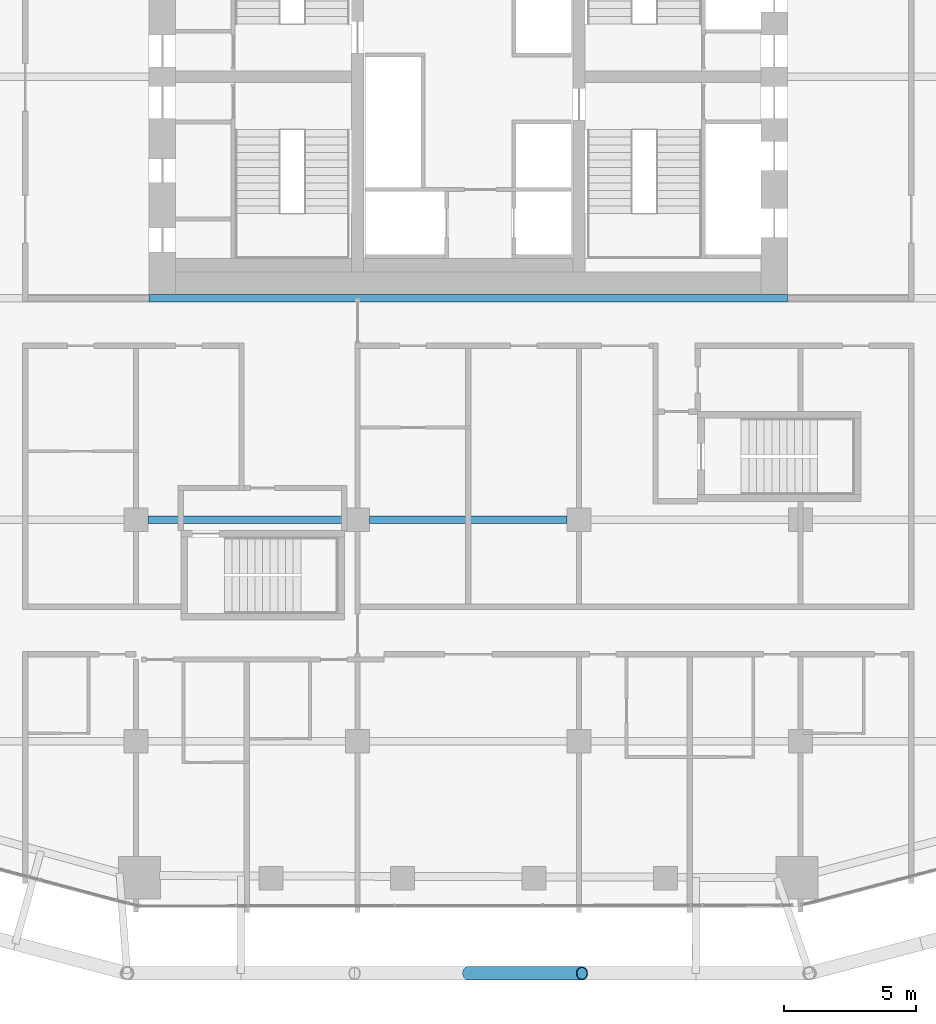
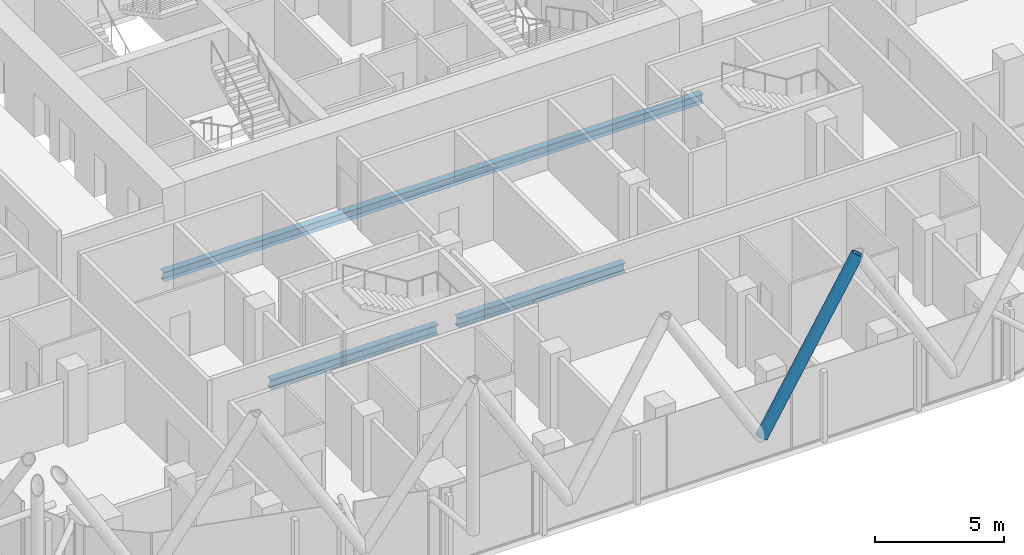
# One storey, part 5 of 36: 3 beams, 1 member.
"""IFC4 building model written with IfcOpenShell, lengths in metres."""

import ifcopenshell
import ifcopenshell.guid

model = None  # the IFC model being written
_history = None  # IfcOwnerHistory: only IFC2X3 demands one
_inside = {}  # id of a spatial element -> (the spatial element, [elements in it])
_under = {}  # id of a project, library or spatial element -> (it, [spatial elements below it])
_declared = {}  # id of a project -> (the project, [libraries it declares])
_typed = {}  # id of a type object -> (the type object, [elements of that type])
_made_of = {}  # id of a material, layer set ... -> (it, [elements and type objects made of it])


def new_model(schema):
    """Start an empty IFC model of exactly this schema.

    Asked for "IFC4X3", IfcOpenShell would pick the latest addendum, in which some entities
    have other attributes; the version numbers below select the first issue.
    IFC2X3 requires an IfcOwnerHistory on every rooted entity: one is made here for all.
    """
    global model, _history
    if schema == "IFC4X3":
        model = ifcopenshell.file(schema_version=(4, 3, 0, 0))
    else:
        model = ifcopenshell.file(schema=schema)
    _inside.clear()
    _under.clear()
    _declared.clear()
    _typed.clear()
    _made_of.clear()
    _history = None
    if model.schema == "IFC2X3":
        org = make("IfcOrganization", Name="unknown")
        user = make(
            "IfcPersonAndOrganization",
            ThePerson=make("IfcPerson", FamilyName="unknown"),
            TheOrganization=org,
        )
        app = make(
            "IfcApplication",
            ApplicationDeveloper=org,
            Version="unknown",
            ApplicationFullName="unknown",
            ApplicationIdentifier="unknown",
        )
        _history = make(
            "IfcOwnerHistory",
            OwningUser=user,
            OwningApplication=app,
            ChangeAction="ADDED",
            CreationDate=0,
        )
    return model


def make(cls, **values):
    """One entity of the class cls with the attributes given. An attribute that is None is left unset."""
    return model.create_entity(
        cls, **{name: value for name, value in values.items() if value is not None}
    )


def rooted(cls, **values):
    """An entity with a GlobalId (a new one), such as an element, a storey or a relation."""
    return make(cls, GlobalId=ifcopenshell.guid.new(), OwnerHistory=_history, **values)


def si_unit(unit_type, name, prefix=None):
    """IfcSIUnit, for example si_unit("LENGTHUNIT", "METRE", prefix="MILLI")."""
    return make("IfcSIUnit", UnitType=unit_type, Prefix=prefix, Name=name)


def assignment(units):
    """IfcUnitAssignment: the units of a project."""
    return None if units is None else make("IfcUnitAssignment", Units=units)


def point(xyz):
    """IfcCartesianPoint."""
    return None if xyz is None else make("IfcCartesianPoint", Coordinates=xyz)


def direction(xyz):
    """IfcDirection."""
    return None if xyz is None else make("IfcDirection", DirectionRatios=xyz)


def frame(location, z_axis=None, x_axis=None):
    """IfcAxis2Placement3D, a coordinate frame: its origin and axes. An axis left out is left unset."""
    return make(
        "IfcAxis2Placement3D",
        Location=point(location),
        Axis=direction(z_axis),
        RefDirection=direction(x_axis),
    )


def frame_2d(location, x_axis=None):
    """IfcAxis2Placement2D, a coordinate frame in the plane: its origin and x axis."""
    return make(
        "IfcAxis2Placement2D", Location=point(location), RefDirection=direction(x_axis)
    )


def origin():
    """The frame at (0, 0, 0) with its axes left unset."""
    return frame((0.0, 0.0, 0.0))


def origin_2d():
    """The frame at (0, 0) in the plane with its x axis left unset."""
    return frame_2d((0.0, 0.0))


def place(relative_to, where):
    """IfcLocalPlacement: puts the frame where relative to a parent placement (None: the world)."""
    return make(
        "IfcLocalPlacement", PlacementRelTo=relative_to, RelativePlacement=where
    )


def context(
    kind, dimensions, precision=None, world=None, true_north=None, identifier=None
):
    """IfcGeometricRepresentationContext, for example the 3D "Model" context."""
    return make(
        "IfcGeometricRepresentationContext",
        ContextIdentifier=identifier,
        ContextType=kind,
        CoordinateSpaceDimension=dimensions,
        Precision=precision,
        WorldCoordinateSystem=world,
        TrueNorth=true_north,
    )


def subcontext(parent, identifier, kind, view, scale=None):
    """IfcGeometricRepresentationSubContext, for example "Body" below "Model"."""
    return make(
        "IfcGeometricRepresentationSubContext",
        ContextIdentifier=identifier,
        ContextType=kind,
        ParentContext=parent,
        TargetScale=scale,
        TargetView=view,
    )


def project(units=None, contexts=None):
    """IfcProject with its units and contexts."""
    return rooted(
        "IfcProject",
        Name="project",
        RepresentationContexts=contexts,
        UnitsInContext=assignment(units),
    )


def spatial(cls, under=None, at=None, **own):
    """A site, building, storey or space (cls), placed at a placement, below another one or the project."""
    s = rooted(cls, ObjectPlacement=at, **own)
    if under is not None:
        _under.setdefault(under.id(), (under, []))[1].append(s)
    return s


def profile(cls, at=None, kind="AREA", **sizes):
    """A parametric profile (cls). Its sizes go by their IFC names, for example OverallWidth=200.0."""
    return make(cls, ProfileType=kind, Position=at, **sizes)


def hollow_circle(**sizes):
    """IfcCircleHollowProfileDef."""
    return profile("IfcCircleHollowProfileDef", **sizes)


def i_section(**sizes):
    """IfcIShapeProfileDef."""
    return profile("IfcIShapeProfileDef", **sizes)


def extrude(swept, where, along, depth):
    """IfcExtrudedAreaSolid: the profile swept, set in the frame where, extruded along a direction by depth."""
    return make(
        "IfcExtrudedAreaSolid",
        SweptArea=swept,
        Position=where,
        ExtrudedDirection=direction(along),
        Depth=depth,
    )


def shape(context_of_items, identifier, shape_type, items):
    """IfcShapeRepresentation: the items that make up one representation, for example the "Body"."""
    return make(
        "IfcShapeRepresentation",
        ContextOfItems=context_of_items,
        RepresentationIdentifier=identifier,
        RepresentationType=shape_type,
        Items=items,
    )


def material(Name=None, Category=None):
    """IfcMaterial."""
    return make("IfcMaterial", Name=Name, Category=Category)


def material_profile(
    of_material, cross_section, Name=None, Category=None, Priority=None
):
    """IfcMaterialProfile: a cross section and its material."""
    return make(
        "IfcMaterialProfile",
        Name=Name,
        Material=of_material,
        Profile=cross_section,
        Priority=Priority,
        Category=Category,
    )


def profile_set(profiles, Name=None, composite=None):
    """IfcMaterialProfileSet."""
    return make(
        "IfcMaterialProfileSet",
        Name=Name,
        MaterialProfiles=profiles,
        CompositeProfile=composite,
    )


def made_of(thing, what):
    """Note that an element or type object is made of a material, layer set ...; save() writes the relation."""
    if what is not None:
        _made_of.setdefault(what.id(), (what, []))[1].append(thing)
    return thing


def type_object(cls, material=None, **own):
    """A type object (cls), such as IfcWallType, which elements share."""
    return made_of(rooted(cls, **own), material)


def element(
    cls,
    number,
    at=None,
    inside=None,
    cuts=None,
    type_object=None,
    material=None,
    context=None,
    identifier="Body",
    shape_type=None,
    held_by="IfcProductDefinitionShape",
    body=None,
    shapes=None,
    **own,
):
    """One element of the class cls, such as IfcWall. Its Tag is "e" and its number.

    at: its placement. inside: the storey or other place that contains it. cuts: it is an
    opening in that element (IfcRelVoidsElement). A single representation is given by context,
    identifier, shape_type and body (its items); several are given by shapes. held_by: the class
    of the entity that holds the representations. save() writes the other relations.
    """
    e = rooted(cls, Tag="e%d" % number, ObjectPlacement=at, **own)
    if body is not None:
        shapes = [shape(context, identifier, shape_type, body)]
    if shapes is not None:
        e.Representation = make(held_by, Representations=shapes)
    if inside is not None:
        _inside.setdefault(inside.id(), (inside, []))[1].append(e)
    if cuts is not None:
        rooted(
            "IfcRelVoidsElement", RelatingBuildingElement=cuts, RelatedOpeningElement=e
        )
    if type_object is not None:
        _typed.setdefault(type_object.id(), (type_object, []))[1].append(e)
    return made_of(e, material)


def aggregate(whole, parts):
    """IfcRelAggregates: a whole, such as a stair, and the parts it consists of."""
    return rooted("IfcRelAggregates", RelatingObject=whole, RelatedObjects=parts)


def save(model, path):
    """Write the relations noted so far, then the file.

    IfcRelAggregates (storeys below a building ...), IfcRelContainedInSpatialStructure (elements
    in a storey), IfcRelDefinesByType, IfcRelAssociatesMaterial and IfcRelDeclares: one each for
    every whole, place, type object, material and project.
    """
    for whole, parts in _under.values():
        aggregate(whole, parts)
    for where, things in _inside.values():
        rooted(
            "IfcRelContainedInSpatialStructure",
            RelatedElements=things,
            RelatingStructure=where,
        )
    for kind, things in _typed.values():
        rooted("IfcRelDefinesByType", RelatedObjects=things, RelatingType=kind)
    for what, things in _made_of.values():
        rooted("IfcRelAssociatesMaterial", RelatedObjects=things, RelatingMaterial=what)
    for by, libraries in _declared.values():
        rooted("IfcRelDeclares", RelatingContext=by, RelatedDefinitions=libraries)
    model.write(path)


model = new_model("IFC4")

# Units and contexts
model_context = context("Model", 3, precision=1e-05, world=origin(), true_north=direction((0.0, 1.0)))
body_context = subcontext(model_context, "Body", "Model", "MODEL_VIEW")
ifc_project = project(units=[si_unit("LENGTHUNIT", "METRE"), si_unit("AREAUNIT", "SQUARE_METRE"), si_unit("VOLUMEUNIT", "CUBIC_METRE"), si_unit("PLANEANGLEUNIT", "RADIAN"), si_unit("MASSUNIT", "GRAM", prefix="KILO")], contexts=[model_context])

# Site, building, storey
site_placement = place(None, origin())
site = spatial("IfcSite", under=ifc_project, at=site_placement, CompositionType="ELEMENT")
building_placement = place(site_placement, origin())
building = spatial("IfcBuilding", under=site, at=building_placement, Name="Marenta Gate Hotel Tower", CompositionType="ELEMENT")
storey_placement = place(building_placement, frame((0.0, 0.0, 115.699951171875)))
storey = spatial("IfcBuildingStorey", under=building, at=storey_placement, Name="L25", CompositionType="ELEMENT", Elevation=115.699951171875)

# Member
ifc_material_1 = material(Name="Steel S355J2W", Category="steel")
ifc_material_profile_1 = material_profile(ifc_material_1, hollow_circle(Radius=0.25390625, WallThickness=0.0400390625, at=origin_2d()), Name="CHS 508x40")
ifc_profile_set_1 = profile_set([ifc_material_profile_1], Name="Steel S355J2W")
member_type = type_object("IfcMemberType", Name="Diagrid diagonal Z2 CHS 508x40", PredefinedType="BRACE", material=ifc_profile_set_1)
member_placement = place(storey_placement, frame((0.0, -25.60009765625, 3.14013671875), z_axis=(0.513883902774, 0.0, 0.857859740558), x_axis=(0.0, 1.0, 0.0)))
element("IfcMember", 1, at=member_placement, inside=storey, type_object=member_type, Name="L25-DG-17", PredefinedType="BRACE", context=body_context, shape_type="SweptSolid", body=[
    extrude(hollow_circle(Radius=0.25390625, WallThickness=0.0400390625, at=origin_2d()), origin(), (0.0, 0.0, 1.0), 8.392822265625),
])

# Beams
ifc_material_2 = material(Name="Steel S355", Category="steel")
ifc_material_profile_2 = material_profile(ifc_material_2, i_section(OverallWidth=0.300048828125, OverallDepth=0.449951171875, WebThickness=0.013916015625, FlangeThickness=0.02587890625, FilletRadius=0.027099609375, at=origin_2d()), Name="HEB 450")
ifc_profile_set_2 = profile_set([ifc_material_profile_2], Name="Steel S355")
beam_type = type_object("IfcBeamType", Name="Girder HEB 450", PredefinedType="BEAM", material=ifc_profile_set_2)
for number, where, z_axis, x_axis, name in (
    (2, (-12.14990234375, -8.39990234375, -0.48486328125), (1.0, 0.0, 0.0), (0.0, 1.0, 0.0), "L25-GD-10"),
    (3, (-3.75, -8.39990234375, -0.48486328125), (1.0, 0.0, 0.0), (0.0, 1.0, 0.0), "L25-GD-11"),
):
    element("IfcBeam", number, at=place(storey_placement, frame(where, z_axis=z_axis, x_axis=x_axis)), inside=storey, type_object=beam_type, Name=name, PredefinedType="BEAM", context=body_context, shape_type="SweptSolid", body=[
        extrude(i_section(OverallWidth=0.300048828125, OverallDepth=0.449951171875, WebThickness=0.013916015625, FlangeThickness=0.02587890625, FilletRadius=0.027099609375, at=origin_2d()), origin(), (0.0, 0.0, 1.0), 7.5),
    ])
beam_placement = place(storey_placement, frame((-12.10009765625, 0.0, -0.48486328125), z_axis=(1.0, 0.0, 0.0), x_axis=(0.0, 1.0, 0.0)))
element("IfcBeam", 4, at=beam_placement, inside=storey, type_object=beam_type, Name="L25-GD-17", PredefinedType="BEAM", context=body_context, shape_type="SweptSolid", body=[
    extrude(i_section(OverallWidth=0.300048828125, OverallDepth=0.449951171875, WebThickness=0.013916015625, FlangeThickness=0.02587890625, FilletRadius=0.027099609375, at=origin_2d()), origin(), (0.0, 0.0, 1.0), 24.2001953125),
])

save(model, "model.ifc")
